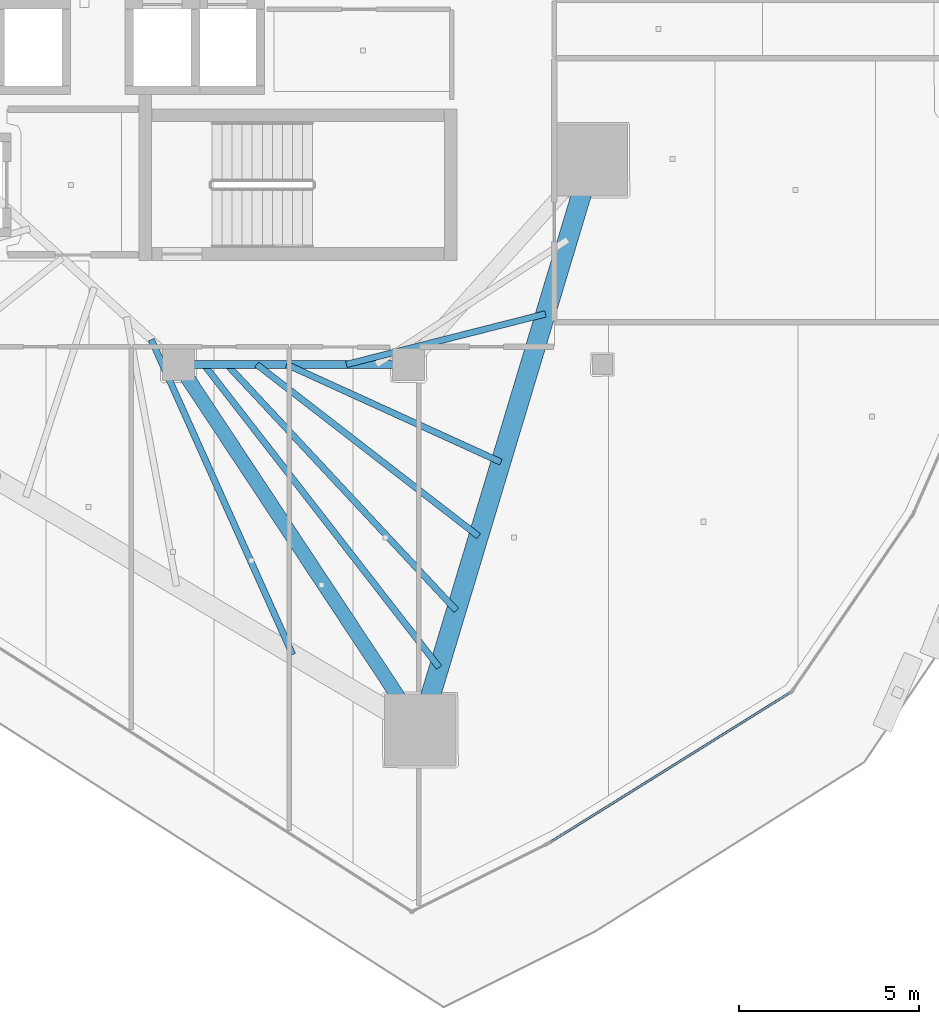
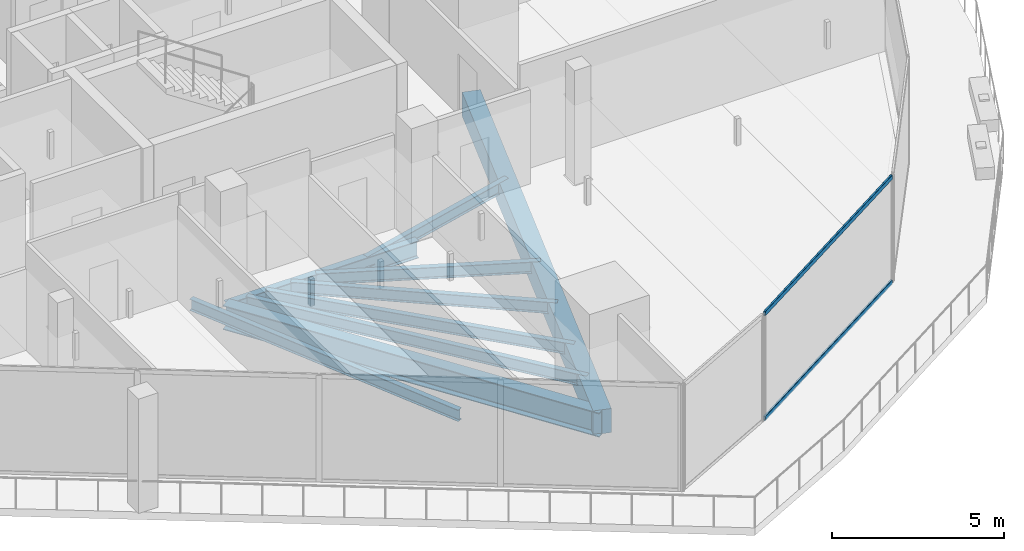
# One storey, part 9 of 33: 9 beams, 2 members, 1 element without a shape of its own.
"""IFC4 building model written with IfcOpenShell, lengths in metres."""

from ifc_helpers import new_model, si_unit, direction, frame, origin, origin_2d, place, context, subcontext, project, spatial, rectangle, hollow_rectangle, i_section, extrude, material, layer, layer_set, material_profile, profile_set, type_object, element, aggregate, save


model = new_model("IFC4")

# Units and contexts
model_context = context("Model", 3, precision=1e-05, world=origin(), true_north=direction((0.0, 1.0)))
body_context = subcontext(model_context, "Body", "Model", "MODEL_VIEW")
ifc_project = project(units=[si_unit("LENGTHUNIT", "METRE"), si_unit("AREAUNIT", "SQUARE_METRE"), si_unit("VOLUMEUNIT", "CUBIC_METRE"), si_unit("PLANEANGLEUNIT", "RADIAN"), si_unit("MASSUNIT", "GRAM", prefix="KILO")], contexts=[model_context])

# Site, building, storey
site_placement = place(None, origin())
site = spatial("IfcSite", under=ifc_project, at=site_placement, CompositionType="ELEMENT")
building_placement = place(site_placement, origin())
building = spatial("IfcBuilding", under=site, at=building_placement, Name="Qorvath Tower", CompositionType="ELEMENT")
storey_placement = place(building_placement, frame((0.0, 0.0, 209.10009765625)))
storey = spatial("IfcBuildingStorey", under=building, at=storey_placement, Name="L48", CompositionType="ELEMENT", Elevation=209.10009765625)

# Beams
ifc_material_1 = material(Name="Steel ASTM A992 Grade 50", Category="steel")
ifc_material_profile_1 = material_profile(ifc_material_1, i_section(OverallWidth=0.39892578125, OverallDepth=0.85498046875, WebThickness=0.018310546875, FlangeThickness=0.029296875, FilletRadius=0.02001953125, at=origin_2d()), Name="W33x201")
ifc_profile_set_1 = profile_set([ifc_material_profile_1], Name="Steel ASTM A992 Grade 50")
beam_type_1 = type_object("IfcBeamType", Name="BM-FG2", PredefinedType="BEAM", material=ifc_profile_set_1)
beam_1_placement = place(storey_placement, frame((-23.60009765625, -11.449951171875, -0.697509765625), z_axis=(0.551500517741, -0.834174549439, 0.0), x_axis=(0.834174549439, 0.551500517741, 0.0)))
element("IfcBeam", 1, at=beam_1_placement, inside=storey, type_object=beam_type_1, Name="Radial Floor Girder CC4-MC3 L48", PredefinedType="BEAM", context=body_context, shape_type="SweptSolid", body=[
    extrude(i_section(OverallWidth=0.39892578125, OverallDepth=0.85498046875, WebThickness=0.018310546875, FlangeThickness=0.029296875, FilletRadius=0.02001953125, at=origin_2d()), origin(), (0.0, 0.0, 1.0), 12.200439453125),
])
ifc_material_2 = material(Name="Steel ASTM A992 Grade 50", Category="steel")
ifc_material_profile_2 = material_profile(ifc_material_2, i_section(OverallWidth=0.22998046875, OverallDepth=0.616943359375, WebThickness=0.01318359375, FlangeThickness=0.022216796875, FilletRadius=0.014892578125, at=origin_2d()), Name="W24x94")
ifc_profile_set_2 = profile_set([ifc_material_profile_2], Name="Steel ASTM A992 Grade 50")
beam_type_2 = type_object("IfcBeamType", Name="BM-FG6", PredefinedType="BEAM", material=ifc_profile_set_2)
beam_2_placement = place(storey_placement, frame((-17.199951171875, -11.449951171875, -0.57861328125), z_axis=(-1.0, 0.0, 0.0), x_axis=(0.0, -1.0, 0.0)))
element("IfcBeam", 2, at=beam_2_placement, inside=storey, type_object=beam_type_2, Name="Core Ring Girder CC3-CC4 L48", PredefinedType="BEAM", context=body_context, shape_type="SweptSolid", body=[
    extrude(i_section(OverallWidth=0.22998046875, OverallDepth=0.616943359375, WebThickness=0.01318359375, FlangeThickness=0.022216796875, FilletRadius=0.014892578125, at=origin_2d()), origin(), (0.0, 0.0, 1.0), 6.400146484375),
])
ifc_material_3 = material(Name="Steel ASTM A992 Grade 50", Category="steel")
ifc_material_profile_3 = material_profile(ifc_material_3, i_section(OverallWidth=0.177978515625, OverallDepth=0.406005859375, WebThickness=0.0078125, FlangeThickness=0.0126953125, FilletRadius=0.010986328125, at=origin_2d()), Name="W16x40")
ifc_profile_set_3 = profile_set([ifc_material_profile_3], Name="Steel ASTM A992 Grade 50")
beam_type_3 = type_object("IfcBeamType", Name="BM-FJ3", PredefinedType="JOIST", material=ifc_profile_set_3)
beam_3_placement = place(storey_placement, frame((-18.927978515625, -11.449951171875, -0.472900390625), z_axis=(0.969231577698, 0.246150662794, 0.0), x_axis=(-0.246150662794, 0.969231577698, 0.0)))
element("IfcBeam", 3, at=beam_3_placement, inside=storey, type_object=beam_type_3, Name="Composite Floor Joist SE2 L48", PredefinedType="JOIST", context=body_context, shape_type="SweptSolid", body=[
    extrude(i_section(OverallWidth=0.177978515625, OverallDepth=0.406005859375, WebThickness=0.0078125, FlangeThickness=0.0126953125, FilletRadius=0.010986328125, at=origin_2d()), origin(), (0.0, 0.0, 1.0), 5.718017578125),
])
beam_4_placement = place(storey_placement, frame((-20.592041015625, -11.449951171875, -0.472900390625), z_axis=(0.909945081179, -0.414728765868, 0.0), x_axis=(0.414728765868, 0.909945081179, 0.0)))
element("IfcBeam", 4, at=beam_4_placement, inside=storey, type_object=beam_type_3, Name="Composite Floor Joist SE4 L48", PredefinedType="JOIST", context=body_context, shape_type="SweptSolid", body=[
    extrude(i_section(OverallWidth=0.177978515625, OverallDepth=0.406005859375, WebThickness=0.0078125, FlangeThickness=0.0126953125, FilletRadius=0.010986328125, at=origin_2d()), origin(), (0.0, 0.0, 1.0), 6.554931640625),
])
beam_5_placement = place(storey_placement, frame((-21.424072265625, -11.449951171875, -0.472900390625), z_axis=(0.790693445503, -0.612212279555, 0.0), x_axis=(0.612212279555, 0.790693445503, 0.0)))
element("IfcBeam", 5, at=beam_5_placement, inside=storey, type_object=beam_type_3, Name="Composite Floor Joist SE5 L48", PredefinedType="JOIST", context=body_context, shape_type="SweptSolid", body=[
    extrude(i_section(OverallWidth=0.177978515625, OverallDepth=0.406005859375, WebThickness=0.0078125, FlangeThickness=0.0126953125, FilletRadius=0.010986328125, at=origin_2d()), origin(), (0.0, 0.0, 1.0), 7.810546875),
])
beam_6_placement = place(storey_placement, frame((-22.256103515625, -11.449951171875, -0.472900390625), z_axis=(0.682249490937, -0.731119437654, 0.0), x_axis=(0.731119437654, 0.682249490937, 0.0)))
element("IfcBeam", 6, at=beam_6_placement, inside=storey, type_object=beam_type_3, Name="Composite Floor Joist SE6 L48", PredefinedType="JOIST", context=body_context, shape_type="SweptSolid", body=[
    extrude(i_section(OverallWidth=0.177978515625, OverallDepth=0.406005859375, WebThickness=0.0078125, FlangeThickness=0.0126953125, FilletRadius=0.010986328125, at=origin_2d()), origin(), (0.0, 0.0, 1.0), 9.362060546875),
])
beam_7_placement = place(storey_placement, frame((-22.89599609375, -11.449951171875, -0.472900390625), z_axis=(0.61345131907, -0.789732536452, 0.0), x_axis=(0.789732536452, 0.61345131907, 0.0)))
element("IfcBeam", 7, at=beam_7_placement, inside=storey, type_object=beam_type_3, Name="Composite Floor Joist SE7 L48", PredefinedType="JOIST", context=body_context, shape_type="SweptSolid", body=[
    extrude(i_section(OverallWidth=0.177978515625, OverallDepth=0.406005859375, WebThickness=0.0078125, FlangeThickness=0.0126953125, FilletRadius=0.010986328125, at=origin_2d()), origin(), (0.0, 0.0, 1.0), 10.676513671875),
])
beam_8_placement = place(storey_placement, frame((-24.35888671875, -10.757080078125, -0.472900390625), z_axis=(0.409327209141, -0.912387656568, 0.0), x_axis=(0.912387656568, 0.409327209141, 0.0)))
element("IfcBeam", 8, at=beam_8_placement, inside=storey, type_object=beam_type_3, Name="Composite Floor Joist SW7 L48", PredefinedType="JOIST", context=body_context, shape_type="SweptSolid", body=[
    extrude(i_section(OverallWidth=0.177978515625, OverallDepth=0.406005859375, WebThickness=0.0078125, FlangeThickness=0.0126953125, FilletRadius=0.010986328125, at=origin_2d()), origin(), (0.0, 0.0, 1.0), 9.611083984375),
])
ifc_material_4 = material(Name="Concrete C50/60", Category="concrete")
ifc_material_profile_4 = material_profile(ifc_material_4, rectangle(XDim=0.550048828125, YDim=0.85009765625, at=origin_2d()), Name="RCB 850x550")
ifc_profile_set_4 = profile_set([ifc_material_profile_4], Name="Concrete C50/60")
beam_type_4 = type_object("IfcBeamType", Name="BM-RCB2", PredefinedType="SPANDREL", material=ifc_profile_set_4)
beam_9_placement = place(storey_placement, frame((-16.87158203125, -21.627197265625, -0.695068359375), z_axis=(0.28812763802, 0.957592013443, 0.0), x_axis=(-0.957592013443, 0.28812763802, 0.0)))
element("IfcBeam", 9, at=beam_9_placement, inside=storey, type_object=beam_type_4, Name="Perimeter Loggia Frame Beam MC3-MC4 L48", PredefinedType="SPANDREL", context=body_context, shape_type="SweptSolid", body=[
    extrude(rectangle(XDim=0.550048828125, YDim=0.85009765625, at=origin_2d()), origin(), (0.0, 0.0, 1.0), 16.572265625),
])

# Curtain wall, members
ifc_material_5 = material(Name="Anodised aluminium and triple low-E glass", Category="aluminium")
ifc_layer = layer(ifc_material_5, 0.179931640625)
ifc_layer_set = layer_set([ifc_layer], Name="CW-SYS-3")
curtain_wall_type = type_object("IfcCurtainWallType", Name="CW-SYS-3", PredefinedType="NOTDEFINED", material=ifc_layer_set)
curtain_wall_placement = place(storey_placement, origin())
curtain_wall = element("IfcCurtainWall", 10, at=curtain_wall_placement, inside=storey, type_object=curtain_wall_type, Name="Curtain Wall CW-3 CW-T-L48-4.1", PredefinedType="NOTDEFINED")
ifc_material_6 = material(Name="Anodised aluminium 6063-T6", Category="aluminium")
ifc_material_profile_5 = material_profile(ifc_material_6, hollow_rectangle(XDim=0.06494140625, YDim=0.159912109375, WallThickness=0.00341796875, InnerFilletRadius=0.00341796875, OuterFilletRadius=0.007080078125, at=origin_2d()), Name="CWT 160x65")
ifc_profile_set_5 = profile_set([ifc_material_profile_5], Name="Anodised aluminium 6063-T6")
member_type = type_object("IfcMemberType", Name="CWT-160", PredefinedType="USERDEFINED", material=ifc_profile_set_5)
member_1_placement = place(storey_placement, frame((-13.239990234375, -24.739990234375, 0.032470703125), z_axis=(0.848574953144, 0.52907518265, 0.0), x_axis=(-0.52907518265, 0.848574953144, 0.0)))
member_1 = element("IfcMember", 11, at=member_1_placement, type_object=member_type, Name="CW-3 transom 1.1", ObjectType="TRANSOM", PredefinedType="USERDEFINED", context=body_context, shape_type="SweptSolid", body=[
    extrude(hollow_rectangle(XDim=0.06494140625, YDim=0.159912109375, WallThickness=0.00341796875, InnerFilletRadius=0.00341796875, OuterFilletRadius=0.007080078125, at=origin_2d()), origin(), (0.0, 0.0, 1.0), 7.84228515625),
])
member_2_placement = place(storey_placement, frame((-13.239990234375, -24.739990234375, 3.747314453125), z_axis=(0.848574953144, 0.52907518265, 0.0), x_axis=(-0.52907518265, 0.848574953144, 0.0)))
member_2 = element("IfcMember", 12, at=member_2_placement, type_object=member_type, Name="CW-3 transom 1.2", ObjectType="TRANSOM", PredefinedType="USERDEFINED", context=body_context, shape_type="SweptSolid", body=[
    extrude(hollow_rectangle(XDim=0.06494140625, YDim=0.159912109375, WallThickness=0.00341796875, InnerFilletRadius=0.00341796875, OuterFilletRadius=0.007080078125, at=origin_2d()), origin(), (0.0, 0.0, 1.0), 7.84228515625),
])
aggregate(curtain_wall, [member_1, member_2])

save(model, "model.ifc")
